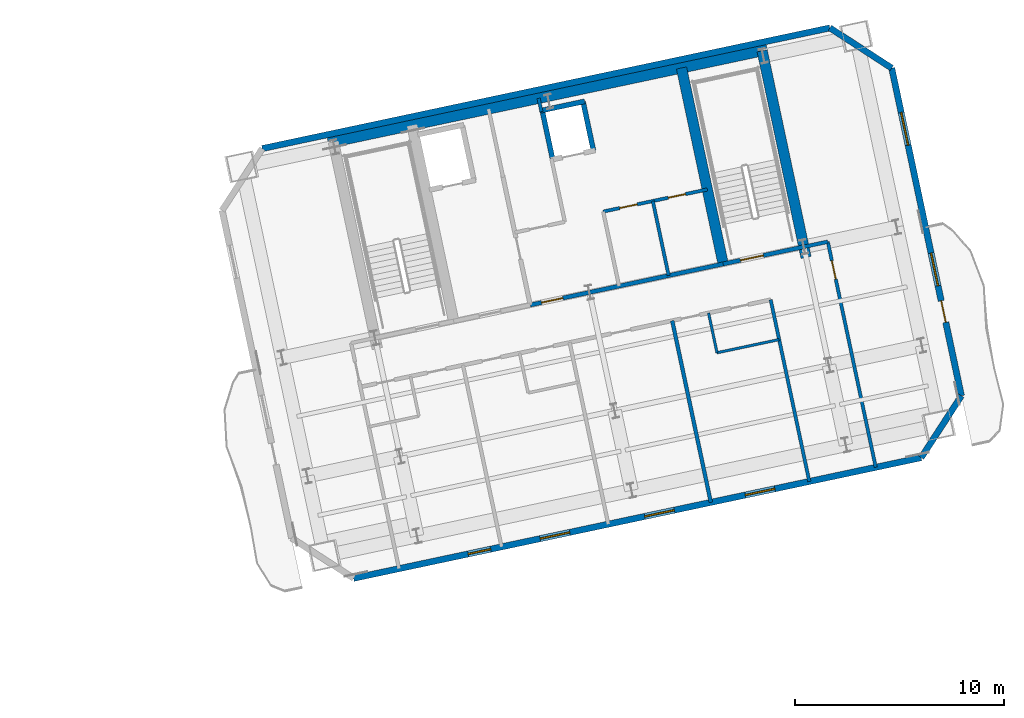
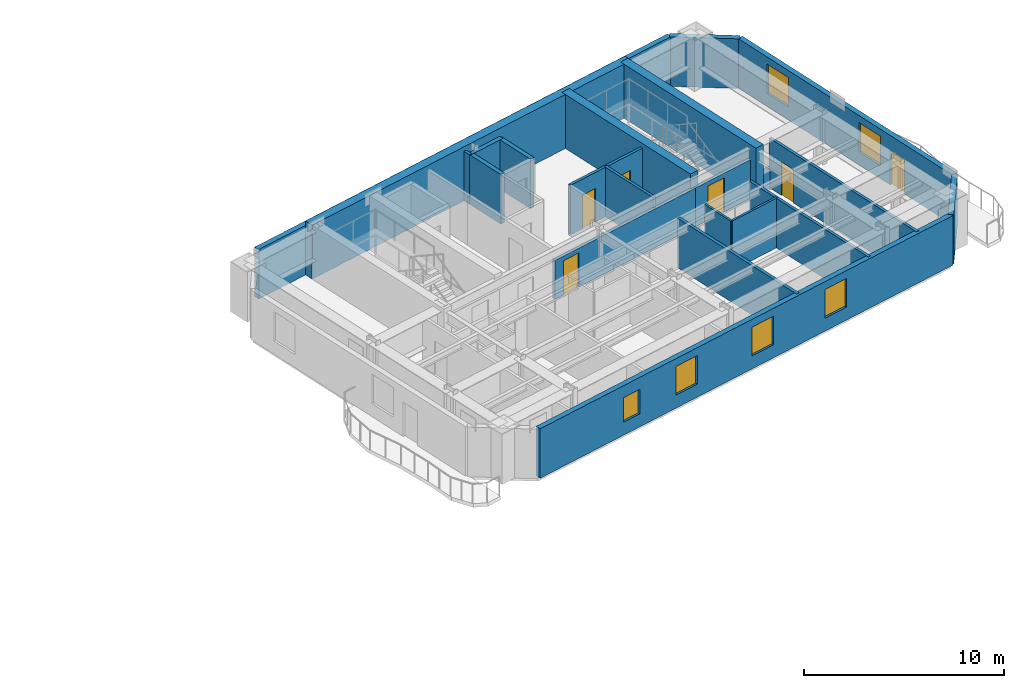
# One storey, part 10 of 15: 22 walls, 6 doors, 6 windows, 12 openings.
"""IFC4 building model written with IfcOpenShell, lengths in metres."""

from ifc_helpers import new_model, si_unit, direction, frame, frame_2d, origin, place, context, subcontext, project, spatial, rectangle, extrude, material, layer, layer_set, type_object, element, fill, save


model = new_model("IFC4")

# Units and contexts
model_context = context("Model", 3, precision=1e-05, world=origin(), true_north=direction((0.0, 1.0)))
body_context = subcontext(model_context, "Body", "Model", "MODEL_VIEW")
ifc_project = project(units=[si_unit("LENGTHUNIT", "METRE"), si_unit("AREAUNIT", "SQUARE_METRE"), si_unit("VOLUMEUNIT", "CUBIC_METRE"), si_unit("PLANEANGLEUNIT", "RADIAN"), si_unit("MASSUNIT", "GRAM", prefix="KILO")], contexts=[model_context])

# Site, building, storey
site_placement = place(None, origin())
site = spatial("IfcSite", under=ifc_project, at=site_placement, CompositionType="ELEMENT")
building_placement = place(site_placement, origin())
building = spatial("IfcBuilding", under=site, at=building_placement, Name="Haevon Station Towers", CompositionType="ELEMENT")
storey_placement = place(building_placement, frame((0.0, 0.0, 152.699951171875)))
storey = spatial("IfcBuildingStorey", under=building, at=storey_placement, Name="L41", CompositionType="ELEMENT", Elevation=152.699951171875)

# Walls
ifc_material_1 = material(Name="Gypsum board on steel stud", Category="steel")
ifc_layer_1 = layer(ifc_material_1, 0.179931640625)
ifc_layer_set_1 = layer_set([ifc_layer_1], Name="Gypsum board on steel stud")
wall_type_1 = type_object("IfcWallType", Name="WL-ACU180", PredefinedType="PARTITIONING", material=ifc_layer_set_1)
wall_1_placement = place(storey_placement, frame((119.29345703125, 41.80859375, 0.0), z_axis=(0.0, 0.0, 1.0), x_axis=(0.978177856367, 0.207769298294, 0.0)))
element("IfcWall", 1, at=wall_1_placement, inside=storey, type_object=wall_type_1, Name="WL-T2PT-L41-03", PredefinedType="PARTITIONING", context=body_context, shape_type="SweptSolid", body=[
    extrude(rectangle(XDim=1.175048828125, YDim=0.179931640625, at=frame_2d((0.58740234375, 0.0))), origin(), (0.0, 0.0, 1.0), 1.22998046875),
])
wall_2_placement = place(storey_placement, frame((114.8388671875, 29.56494140625, 0.0), z_axis=(0.0, 0.0, 1.0), x_axis=(-0.207908296654, 0.978148322179, 0.0)))
element("IfcWall", 2, at=wall_2_placement, inside=storey, type_object=wall_type_1, Name="WL-T2PT-L41-12", PredefinedType="PARTITIONING", context=body_context, shape_type="SweptSolid", body=[
    extrude(rectangle(XDim=8.89990234375, YDim=0.179931640625, at=frame_2d((4.449951171875, 0.0))), origin(), (0.0, 0.0, 1.0), 3.030029296875),
])

# Wall, opening, door
ifc_layer_2 = layer(ifc_material_1, 0.199951171875)
ifc_layer_set_2 = layer_set([ifc_layer_2], Name="Gypsum board on steel stud")
wall_type_2 = type_object("IfcWallType", Name="WL-COR200", PredefinedType="PARTITIONING", material=ifc_layer_set_2)
wall_3_placement = place(storey_placement, frame((115.4296875, 40.9873046875, 0.0), z_axis=(0.0, 0.0, 1.0), x_axis=(0.978146596989, 0.207916413008, 0.0)))
wall_3 = element("IfcWall", 3, at=wall_3_placement, inside=storey, type_object=wall_type_2, Name="WL-ST-ST4-L41", PredefinedType="PARTITIONING", context=body_context, shape_type="SweptSolid", body=[
    extrude(rectangle(XDim=3.9501953125, YDim=0.199951171875, at=frame_2d((1.97509765625, 0.0))), origin(), (0.0, 0.0, 1.0), 2.380126953125),
])
opening_1_placement = place(wall_3_placement, frame((0.85009765625, 0.0, 0.0)))
opening_1 = element("IfcOpeningElement", 4, at=opening_1_placement, cuts=wall_3, Name="Opening DR-ST-ST4-L41", PredefinedType="OPENING", context=body_context, shape_type="SweptSolid", body=[
    extrude(rectangle(XDim=1.1201171875, YDim=2.10009765625, at=frame_2d((0.56005859375, 1.050048828125))), frame((0.0, 0.10986328125, 0.0), z_axis=(0.0, -1.0, 0.0), x_axis=(1.0, 0.0, 0.0)), (0.0, 0.0, 1.0), 0.219970703125),
])
ifc_material_2 = material(Name="Engineered oak timber", Category="wood")
door_type_1 = type_object("IfcDoorType", Name="DR-ST-1120", OperationType="NOTDEFINED", PredefinedType="DOOR", material=ifc_material_2)
door_1_placement = place(opening_1_placement, origin())
door_1 = element("IfcDoor", 5, at=door_1_placement, inside=storey, type_object=door_type_1, Name="L41 Escape Stair ST4 Fire Door", OperationType="SINGLE_SWING_LEFT", OverallHeight=2.10009765625, OverallWidth=1.1201171875, PredefinedType="DOOR", context=body_context, shape_type="SweptSolid", body=[
    extrude(rectangle(XDim=1.1201171875, YDim=2.10009765625, at=frame_2d((0.56005859375, 1.050048828125))), frame((0.0, 0.02490234375, 0.0), z_axis=(0.0, -1.0, 0.0), x_axis=(1.0, 0.0, 0.0)), (0.0, 0.0, 1.0), 0.050048828125),
])
fill(opening_1, door_1)

wall_4_placement = place(storey_placement, frame((106.186279296875, 39.0224609375, 0.0), z_axis=(0.0, 0.0, 1.0), x_axis=(0.978145519981, 0.20792147975, 0.0)))
wall_4 = element("IfcWall", 6, at=wall_4_placement, inside=storey, type_object=wall_type_2, Name="WL-T2CLB-L41", PredefinedType="PARTITIONING", context=body_context, shape_type="SweptSolid", body=[
    extrude(rectangle(XDim=9.449951171875, YDim=0.199951171875, at=frame_2d((4.72509765625, 0.0))), origin(), (0.0, 0.0, 1.0), 2.380126953125),
])
opening_2_placement = place(wall_4_placement, frame((0.550048828125, 0.0, 0.0)))
opening_2 = element("IfcOpeningElement", 7, at=opening_2_placement, cuts=wall_4, Name="Opening DR-T2CLB-L41-1", PredefinedType="OPENING", context=body_context, shape_type="SweptSolid", body=[
    extrude(rectangle(XDim=1.050048828125, YDim=2.10009765625, at=frame_2d((0.52490234375, 1.050048828125))), frame((0.0, 0.10986328125, 0.0), z_axis=(0.0, -1.0, 0.0), x_axis=(1.0, 0.0, 0.0)), (0.0, 0.0, 1.0), 0.219970703125),
])
door_type_2 = type_object("IfcDoorType", Name="DR-FD60-1050", OperationType="NOTDEFINED", PredefinedType="DOOR", material=ifc_material_2)
door_2_placement = place(opening_2_placement, origin())
door_2 = element("IfcDoor", 8, at=door_2_placement, inside=storey, type_object=door_type_2, Name="L41 Tower 2 Core Lift Lobby Door 1", OperationType="SINGLE_SWING_RIGHT", OverallHeight=2.10009765625, OverallWidth=1.050048828125, PredefinedType="DOOR", context=body_context, shape_type="SweptSolid", body=[
    extrude(rectangle(XDim=1.050048828125, YDim=2.10009765625, at=frame_2d((0.52490234375, 1.050048828125))), frame((0.0, 0.02490234375, 0.0), z_axis=(0.0, -1.0, 0.0), x_axis=(1.0, 0.0, 0.0)), (0.0, 0.0, 1.0), 0.050048828125),
])
fill(opening_2, door_2)

# Walls
ifc_material_3 = material(Name="Concrete C60/75", Category="concrete")
ifc_layer_3 = layer(ifc_material_3, 0.5)
ifc_layer_set_3 = layer_set([ifc_layer_3], Name="Concrete C60/75")
wall_type_3 = type_object("IfcWallType", Name="WL-CR500", PredefinedType="SHEAR", material=ifc_layer_set_3)
wall_5_placement = place(storey_placement, frame((96.511962890625, 46.78076171875, 0.0), z_axis=(0.0, 0.0, 1.0), x_axis=(0.978148546782, 0.207907239961, 0.0)))
element("IfcWall", 9, at=wall_5_placement, inside=storey, type_object=wall_type_3, Name="WL-T2CR-L41-N", PredefinedType="SHEAR", context=body_context, shape_type="SweptSolid", body=[
    extrude(rectangle(XDim=21.499755859375, YDim=0.5, at=frame_2d((10.75, 0.0))), origin(), (0.0, 0.0, 1.0), 3.300048828125),
])
wall_6_placement = place(storey_placement, frame((119.401611328125, 41.2998046875, 0.0), z_axis=(0.0, 0.0, 1.0), x_axis=(-0.207904342798, 0.978149162575, 0.0)))
element("IfcWall", 10, at=wall_6_placement, inside=storey, type_object=wall_type_3, Name="WL-T2CR-L41-E", PredefinedType="SHEAR", context=body_context, shape_type="SweptSolid", body=[
    extrude(rectangle(XDim=10.1201171875, YDim=0.5, at=frame_2d((5.06005859375, 0.0))), origin(), (0.0, 0.0, 1.0), 3.300048828125),
])
wall_7_placement = place(storey_placement, frame((115.4296875, 40.9873046875, 0.0), z_axis=(0.0, 0.0, 1.0), x_axis=(-0.207903162969, 0.978149413345, 0.0)))
element("IfcWall", 11, at=wall_7_placement, inside=storey, type_object=wall_type_3, Name="WL-T2CR-L41-M2", PredefinedType="SHEAR", context=body_context, shape_type="SweptSolid", body=[
    extrude(rectangle(XDim=9.599853515625, YDim=0.5, at=frame_2d((4.7998046875, 0.0))), origin(), (0.0, 0.0, 1.0), 3.300048828125),
])

# Wall, openings, windows
ifc_material_4 = material(Name="Precast concrete C45/55", Category="concrete")
ifc_layer_4 = layer(ifc_material_4, 0.300048828125)
ifc_layer_set_4 = layer_set([ifc_layer_4], Name="Precast concrete C45/55")
wall_type_4 = type_object("IfcWallType", Name="WL-EXT-PIER300", PredefinedType="SOLIDWALL", material=ifc_layer_set_4)
wall_8_placement = place(storey_placement, frame((124.91650390625, 31.70703125, 0.0), z_axis=(0.0, 0.0, 1.0), x_axis=(-0.978146796741, -0.20791547327, 0.0)))
wall_8 = element("IfcWall", 12, at=wall_8_placement, inside=storey, type_object=wall_type_4, Name="WL-T2-L41-S", PredefinedType="SOLIDWALL", context=body_context, shape_type="SweptSolid", body=[
    extrude(rectangle(XDim=27.7998046875, YDim=0.300048828125, at=frame_2d((13.89990234375, 0.0))), origin(), (0.0, 0.0, 1.0), 3.030029296875),
])
opening_3_placement = place(wall_8_placement, frame((21.089599609375, 0.0, 0.800048828125)))
opening_3 = element("IfcOpeningElement", 13, at=opening_3_placement, cuts=wall_8, Name="Opening WN-COR110", PredefinedType="OPENING", context=body_context, shape_type="SweptSolid", body=[
    extrude(rectangle(XDim=1.10009765625, YDim=1.5, at=frame_2d((0.550048828125, 0.75))), frame((0.0, 0.159912109375, 0.0), z_axis=(0.0, -1.0, 0.0), x_axis=(1.0, 0.0, 0.0)), (0.0, 0.0, 1.0), 0.320068359375),
])
opening_4_placement = place(wall_8_placement, frame((17.2138671875, 0.0, 0.800048828125)))
opening_4 = element("IfcOpeningElement", 14, at=opening_4_placement, cuts=wall_8, Name="Opening WN-P145", PredefinedType="OPENING", context=body_context, shape_type="SweptSolid", body=[
    extrude(rectangle(XDim=1.449951171875, YDim=1.75, at=frame_2d((0.72509765625, 0.875))), frame((0.0, 0.159912109375, 0.0), z_axis=(0.0, -1.0, 0.0), x_axis=(1.0, 0.0, 0.0)), (0.0, 0.0, 1.0), 0.320068359375),
])
opening_5_placement = place(wall_8_placement, frame((12.089599609375, 0.0, 0.800048828125)))
opening_5 = element("IfcOpeningElement", 15, at=opening_5_placement, cuts=wall_8, Name="Opening WN-P145", PredefinedType="OPENING", context=body_context, shape_type="SweptSolid", body=[
    extrude(rectangle(XDim=1.449951171875, YDim=1.75, at=frame_2d((0.72509765625, 0.875))), frame((0.0, 0.159912109375, 0.0), z_axis=(0.0, -1.0, 0.0), x_axis=(1.0, 0.0, 0.0)), (0.0, 0.0, 1.0), 0.320068359375),
])
opening_6_placement = place(wall_8_placement, frame((7.16650390625, 0.0, 0.800048828125)))
opening_6 = element("IfcOpeningElement", 16, at=opening_6_placement, cuts=wall_8, Name="Opening WN-P145", PredefinedType="OPENING", context=body_context, shape_type="SweptSolid", body=[
    extrude(rectangle(XDim=1.449951171875, YDim=1.75, at=frame_2d((0.72509765625, 0.875))), frame((0.0, 0.159912109375, 0.0), z_axis=(0.0, -1.0, 0.0), x_axis=(1.0, 0.0, 0.0)), (0.0, 0.0, 1.0), 0.320068359375),
])
ifc_material_5 = material(Name="Low-E triple glazing in thermally broken aluminium", Category="aluminium")
window_type_1 = type_object("IfcWindowType", Name="WN-COR110", PartitioningType="SINGLE_PANEL", PredefinedType="WINDOW", material=ifc_material_5)
window_1_placement = place(opening_3_placement, origin())
window_1 = element("IfcWindow", 17, at=window_1_placement, inside=storey, type_object=window_type_1, Name="WN-T2-L41-S01", OverallHeight=1.5, OverallWidth=1.10009765625, PartitioningType="SINGLE_PANEL", PredefinedType="WINDOW", context=body_context, shape_type="SweptSolid", body=[
    extrude(rectangle(XDim=1.10009765625, YDim=1.5, at=frame_2d((0.550048828125, 0.75))), frame((0.0, 0.030029296875, 0.0), z_axis=(0.0, -1.0, 0.0), x_axis=(1.0, 0.0, 0.0)), (0.0, 0.0, 1.0), 0.06005859375),
])
fill(opening_3, window_1)
window_type_2 = type_object("IfcWindowType", Name="WN-P145", PartitioningType="SINGLE_PANEL", PredefinedType="WINDOW", material=ifc_material_5)
window_2_placement = place(opening_4_placement, origin())
window_2 = element("IfcWindow", 18, at=window_2_placement, inside=storey, type_object=window_type_2, Name="WN-T2-L41-S02", OverallHeight=1.75, OverallWidth=1.449951171875, PartitioningType="SINGLE_PANEL", PredefinedType="WINDOW", context=body_context, shape_type="SweptSolid", body=[
    extrude(rectangle(XDim=1.449951171875, YDim=1.75, at=frame_2d((0.72509765625, 0.875))), frame((0.0, 0.030029296875, 0.0), z_axis=(0.0, -1.0, 0.0), x_axis=(1.0, 0.0, 0.0)), (0.0, 0.0, 1.0), 0.06005859375),
])
fill(opening_4, window_2)
window_3_placement = place(opening_5_placement, origin())
window_3 = element("IfcWindow", 19, at=window_3_placement, inside=storey, type_object=window_type_2, Name="WN-T2-L41-S03", OverallHeight=1.75, OverallWidth=1.449951171875, PartitioningType="SINGLE_PANEL", PredefinedType="WINDOW", context=body_context, shape_type="SweptSolid", body=[
    extrude(rectangle(XDim=1.449951171875, YDim=1.75, at=frame_2d((0.72509765625, 0.875))), frame((0.0, 0.030029296875, 0.0), z_axis=(0.0, -1.0, 0.0), x_axis=(1.0, 0.0, 0.0)), (0.0, 0.0, 1.0), 0.06005859375),
])
fill(opening_5, window_3)
window_4_placement = place(opening_6_placement, origin())
window_4 = element("IfcWindow", 20, at=window_4_placement, inside=storey, type_object=window_type_2, Name="WN-T2-L41-S04", OverallHeight=1.75, OverallWidth=1.449951171875, PartitioningType="SINGLE_PANEL", PredefinedType="WINDOW", context=body_context, shape_type="SweptSolid", body=[
    extrude(rectangle(XDim=1.449951171875, YDim=1.75, at=frame_2d((0.72509765625, 0.875))), frame((0.0, 0.030029296875, 0.0), z_axis=(0.0, -1.0, 0.0), x_axis=(1.0, 0.0, 0.0)), (0.0, 0.0, 1.0), 0.06005859375),
])
fill(opening_6, window_4)

# Walls
wall_9_placement = place(storey_placement, frame((93.347412109375, 46.51708984375, 0.0), z_axis=(0.0, 0.0, 1.0), x_axis=(0.978148962338, 0.207905284872, 0.0)))
element("IfcWall", 21, at=wall_9_placement, inside=storey, type_object=wall_type_4, Name="WL-T2-L41-N", PredefinedType="SOLIDWALL", context=body_context, shape_type="SweptSolid", body=[
    extrude(rectangle(XDim=27.800048828125, YDim=0.300048828125, at=frame_2d((13.89990234375, 0.0))), origin(), (0.0, 0.0, 1.0), 3.030029296875),
])
wall_10_placement = place(storey_placement, frame((120.5400390625, 52.296875, 0.0), z_axis=(0.0, 0.0, 1.0), x_axis=(0.838672309694, -0.544636352948, 0.0)))
element("IfcWall", 22, at=wall_10_placement, inside=storey, type_object=wall_type_4, Name="WL-T2-L41-NEC", PredefinedType="SOLIDWALL", context=body_context, shape_type="SweptSolid", body=[
    extrude(rectangle(XDim=3.535400390625, YDim=0.300048828125, at=frame_2d((1.767578125, 0.0))), origin(), (0.0, 0.0, 1.0), 3.030029296875),
])

# Wall, openings, door, windows
wall_11_placement = place(storey_placement, frame((123.505126953125, 50.371337890625, 0.0), z_axis=(0.0, 0.0, 1.0), x_axis=(0.207922793235, -0.978145240776, 0.0)))
wall_11 = element("IfcWall", 23, at=wall_11_placement, inside=storey, type_object=wall_type_4, Name="WL-T2-L41-E", PredefinedType="SOLIDWALL", context=body_context, shape_type="SweptSolid", body=[
    extrude(rectangle(XDim=16.050048828125, YDim=0.300048828125, at=frame_2d((8.02490234375, 0.0))), origin(), (0.0, 0.0, 1.0), 3.030029296875),
])
opening_7_placement = place(wall_11_placement, frame((11.39990234375, 0.0, 0.0)))
opening_7 = element("IfcOpeningElement", 24, at=opening_7_placement, cuts=wall_11, Name="Opening DR-T2-SCAL-L41-E", PredefinedType="OPENING", context=body_context, shape_type="SweptSolid", body=[
    extrude(rectangle(XDim=1.050048828125, YDim=2.10009765625, at=frame_2d((0.52490234375, 1.050048828125))), frame((0.0, 0.159912109375, 0.0), z_axis=(0.0, -1.0, 0.0), x_axis=(1.0, 0.0, 0.0)), (0.0, 0.0, 1.0), 0.320068359375),
])
opening_8_placement = place(wall_11_placement, frame((2.1767578125, 0.0, 0.800048828125)))
opening_8 = element("IfcOpeningElement", 25, at=opening_8_placement, cuts=wall_11, Name="Opening WN-END160", PredefinedType="OPENING", context=body_context, shape_type="SweptSolid", body=[
    extrude(rectangle(XDim=1.60009765625, YDim=1.800048828125, at=frame_2d((0.800048828125, 0.89990234375))), frame((0.0, 0.159912109375, 0.0), z_axis=(0.0, -1.0, 0.0), x_axis=(1.0, 0.0, 0.0)), (0.0, 0.0, 1.0), 0.320068359375),
])
opening_9_placement = place(wall_11_placement, frame((9.060791015625, 0.0, 0.800048828125)))
opening_9 = element("IfcOpeningElement", 26, at=opening_9_placement, cuts=wall_11, Name="Opening WN-END160", PredefinedType="OPENING", context=body_context, shape_type="SweptSolid", body=[
    extrude(rectangle(XDim=1.60009765625, YDim=1.800048828125, at=frame_2d((0.800048828125, 0.89990234375))), frame((0.0, 0.159912109375, 0.0), z_axis=(0.0, -1.0, 0.0), x_axis=(1.0, 0.0, 0.0)), (0.0, 0.0, 1.0), 0.320068359375),
])
ifc_material_6 = material(Name="Thermally broken anodised aluminium and laminated safety glass", Category="aluminium")
door_type_3 = type_object("IfcDoorType", Name="DR-BALC-1050", OperationType="NOTDEFINED", PredefinedType="DOOR", material=ifc_material_6)
door_3_placement = place(opening_7_placement, origin())
door_3 = element("IfcDoor", 27, at=door_3_placement, inside=storey, type_object=door_type_3, Name="Tower 2 L41 East Scalloped Balcony Door", OperationType="SINGLE_SWING_RIGHT", OverallHeight=2.10009765625, OverallWidth=1.050048828125, PredefinedType="DOOR", context=body_context, shape_type="SweptSolid", body=[
    extrude(rectangle(XDim=1.050048828125, YDim=2.10009765625, at=frame_2d((0.52490234375, 1.050048828125))), frame((0.0, 0.02490234375, 0.0), z_axis=(0.0, -1.0, 0.0), x_axis=(1.0, 0.0, 0.0)), (0.0, 0.0, 1.0), 0.050048828125),
])
fill(opening_7, door_3)
window_type_3 = type_object("IfcWindowType", Name="WN-END160", PartitioningType="SINGLE_PANEL", PredefinedType="WINDOW", material=ifc_material_5)
window_5_placement = place(opening_8_placement, origin())
window_5 = element("IfcWindow", 28, at=window_5_placement, inside=storey, type_object=window_type_3, Name="WN-T2-L41-E01", OverallHeight=1.800048828125, OverallWidth=1.60009765625, PartitioningType="SINGLE_PANEL", PredefinedType="WINDOW", context=body_context, shape_type="SweptSolid", body=[
    extrude(rectangle(XDim=1.60009765625, YDim=1.800048828125, at=frame_2d((0.800048828125, 0.89990234375))), frame((0.0, 0.030029296875, 0.0), z_axis=(0.0, -1.0, 0.0), x_axis=(1.0, 0.0, 0.0)), (0.0, 0.0, 1.0), 0.06005859375),
])
fill(opening_8, window_5)
window_6_placement = place(opening_9_placement, origin())
window_6 = element("IfcWindow", 29, at=window_6_placement, inside=storey, type_object=window_type_3, Name="WN-T2-L41-E02", OverallHeight=1.800048828125, OverallWidth=1.60009765625, PartitioningType="SINGLE_PANEL", PredefinedType="WINDOW", context=body_context, shape_type="SweptSolid", body=[
    extrude(rectangle(XDim=1.60009765625, YDim=1.800048828125, at=frame_2d((0.800048828125, 0.89990234375))), frame((0.0, 0.030029296875, 0.0), z_axis=(0.0, -1.0, 0.0), x_axis=(1.0, 0.0, 0.0)), (0.0, 0.0, 1.0), 0.06005859375),
])
fill(opening_9, window_6)

# Walls
wall_12_placement = place(storey_placement, frame((126.84228515625, 34.672119140625, 0.0), z_axis=(0.0, 0.0, 1.0), x_axis=(-0.544684921471, -0.838640767148, 0.0)))
element("IfcWall", 30, at=wall_12_placement, inside=storey, type_object=wall_type_4, Name="WL-T2-L41-SEC", PredefinedType="SOLIDWALL", context=body_context, shape_type="SweptSolid", body=[
    extrude(rectangle(XDim=3.53564453125, YDim=0.300048828125, at=frame_2d((1.767822265625, 0.0))), origin(), (0.0, 0.0, 1.0), 3.030029296875),
])
ifc_layer_5 = layer(ifc_material_1, 0.125)
ifc_layer_set_5 = layer_set([ifc_layer_5], Name="Gypsum board on steel stud")
wall_type_5 = type_object("IfcWallType", Name="WL-PRT125", PredefinedType="PARTITIONING", material=ifc_layer_set_5)
wall_13_placement = place(storey_placement, frame((115.135009765625, 36.733154296875, 0.0), z_axis=(0.0, 0.0, 1.0), x_axis=(0.978152121123, 0.207890422921, 0.0)))
element("IfcWall", 31, at=wall_13_placement, inside=storey, type_object=wall_type_5, Name="WL-T2PT-L41-13", PredefinedType="PARTITIONING", context=body_context, shape_type="SweptSolid", body=[
    extrude(rectangle(XDim=3.042724609375, YDim=0.125, at=frame_2d((1.521484375, 0.0))), origin(), (0.0, 0.0, 1.0), 3.030029296875),
])
wall_14_placement = place(storey_placement, frame((115.135009765625, 36.733154296875, 0.0), z_axis=(0.0, 0.0, 1.0), x_axis=(-0.207972563987, 0.978134659763, 0.0)))
element("IfcWall", 32, at=wall_14_placement, inside=storey, type_object=wall_type_5, Name="WL-T2PT-L41-14", PredefinedType="PARTITIONING", context=body_context, shape_type="SweptSolid", body=[
    extrude(rectangle(XDim=1.949951171875, YDim=0.125, at=frame_2d((0.97509765625, 0.0))), origin(), (0.0, 0.0, 1.0), 3.030029296875),
])
ifc_layer_6 = layer(ifc_material_1, 0.159912109375)
ifc_layer_set_6 = layer_set([ifc_layer_6], Name="Gypsum board on steel stud")
wall_type_6 = type_object("IfcWallType", Name="WL-PRT160", PredefinedType="PARTITIONING", material=ifc_layer_set_6)
wall_15_placement = place(storey_placement, frame((106.721923828125, 48.286376953125, 0.0), z_axis=(0.0, 0.0, 1.0), x_axis=(-0.208092352933, 0.978109182377, 0.0)))
element("IfcWall", 33, at=wall_15_placement, inside=storey, type_object=wall_type_6, Name="WL-T2CW-L41-04", PredefinedType="PARTITIONING", context=body_context, shape_type="SweptSolid", body=[
    extrude(rectangle(XDim=0.64990234375, YDim=0.159912109375, at=frame_2d((0.324951171875, 0.0))), origin(), (0.0, 0.0, 1.0), 3.030029296875),
])
wall_16_placement = place(storey_placement, frame((112.818115234375, 40.43212890625, 0.0), z_axis=(0.0, 0.0, 1.0), x_axis=(-0.207884354546, 0.978153410838, 0.0)))
element("IfcWall", 34, at=wall_16_placement, inside=storey, type_object=wall_type_6, Name="WL-T2CW-L41-06", PredefinedType="PARTITIONING", context=body_context, shape_type="SweptSolid", body=[
    extrude(rectangle(XDim=3.650146484375, YDim=0.159912109375, at=frame_2d((1.8251953125, 0.0))), origin(), (0.0, 0.0, 1.0), 3.030029296875),
])

# Wall, openings, doors
wall_17_placement = place(storey_placement, frame((109.682373046875, 43.497314453125, 0.0), z_axis=(0.0, 0.0, 1.0), x_axis=(0.978149238447, 0.207903985835, 0.0)))
wall_17 = element("IfcWall", 35, at=wall_17_placement, inside=storey, type_object=wall_type_6, Name="WL-T2CW-L41-07", PredefinedType="PARTITIONING", context=body_context, shape_type="SweptSolid", body=[
    extrude(rectangle(XDim=5.099853515625, YDim=0.159912109375, at=frame_2d((2.5498046875, 0.0))), origin(), (0.0, 0.0, 1.0), 3.030029296875),
])
opening_10_placement = place(wall_17_placement, frame((0.81005859375, 0.0, 0.0)))
opening_10 = element("IfcOpeningElement", 36, at=opening_10_placement, cuts=wall_17, Name="Opening DR-WL-T2CW-L41-07-1", PredefinedType="OPENING", context=body_context, shape_type="SweptSolid", body=[
    extrude(rectangle(XDim=0.85009765625, YDim=2.050048828125, at=frame_2d((0.425048828125, 1.02490234375))), frame((0.0, 0.08984375, 0.0), z_axis=(0.0, -1.0, 0.0), x_axis=(1.0, 0.0, 0.0)), (0.0, 0.0, 1.0), 0.179931640625),
])
opening_11_placement = place(wall_17_placement, frame((3.179931640625, 0.0, 0.0)))
opening_11 = element("IfcOpeningElement", 37, at=opening_11_placement, cuts=wall_17, Name="Opening DR-WL-T2CW-L41-07-2", PredefinedType="OPENING", context=body_context, shape_type="SweptSolid", body=[
    extrude(rectangle(XDim=0.85009765625, YDim=2.050048828125, at=frame_2d((0.425048828125, 1.02490234375))), frame((0.0, 0.08984375, 0.0), z_axis=(0.0, -1.0, 0.0), x_axis=(1.0, 0.0, 0.0)), (0.0, 0.0, 1.0), 0.179931640625),
])
door_type_4 = type_object("IfcDoorType", Name="DR-FD30-850", OperationType="NOTDEFINED", PredefinedType="DOOR", material=ifc_material_2)
door_4_placement = place(opening_10_placement, origin())
door_4 = element("IfcDoor", 38, at=door_4_placement, inside=storey, type_object=door_type_4, Name="L41 Tower 2 Core Room Door 7-1", OperationType="SINGLE_SWING_RIGHT", OverallHeight=2.050048828125, OverallWidth=0.85009765625, PredefinedType="DOOR", context=body_context, shape_type="SweptSolid", body=[
    extrude(rectangle(XDim=0.85009765625, YDim=2.050048828125, at=frame_2d((0.425048828125, 1.02490234375))), frame((0.0, 0.02490234375, 0.0), z_axis=(0.0, -1.0, 0.0), x_axis=(1.0, 0.0, 0.0)), (0.0, 0.0, 1.0), 0.050048828125),
])
fill(opening_10, door_4)
door_5_placement = place(opening_11_placement, origin())
door_5 = element("IfcDoor", 39, at=door_5_placement, inside=storey, type_object=door_type_4, Name="L41 Tower 2 Core Room Door 7-2", OperationType="SINGLE_SWING_LEFT", OverallHeight=2.050048828125, OverallWidth=0.85009765625, PredefinedType="DOOR", context=body_context, shape_type="SweptSolid", body=[
    extrude(rectangle(XDim=0.85009765625, YDim=2.050048828125, at=frame_2d((0.425048828125, 1.02490234375))), frame((0.0, 0.02490234375, 0.0), z_axis=(0.0, -1.0, 0.0), x_axis=(1.0, 0.0, 0.0)), (0.0, 0.0, 1.0), 0.050048828125),
])
fill(opening_11, door_5)

# Wall
wall_18_placement = place(storey_placement, frame((119.556396484375, 30.567626953125, 0.0), z_axis=(0.0, 0.0, 1.0), x_axis=(-0.207928963567, 0.978143929138, 0.0)))
element("IfcWall", 40, at=wall_18_placement, inside=storey, type_object=wall_type_6, Name="WL-T2PT-L41-01", PredefinedType="PARTITIONING", context=body_context, shape_type="SweptSolid", body=[
    extrude(rectangle(XDim=8.900146484375, YDim=0.159912109375, at=frame_2d((4.4501953125, 0.0))), origin(), (0.0, 0.0, 1.0), 3.030029296875),
])

# Wall, opening, door
wall_19_placement = place(storey_placement, frame((122.740234375, 31.244384765625, 0.0), z_axis=(0.0, 0.0, 1.0), x_axis=(-0.207909755675, 0.978148012059, 0.0)))
wall_19 = element("IfcWall", 41, at=wall_19_placement, inside=storey, type_object=wall_type_6, Name="WL-T2PT-L41-05", PredefinedType="PARTITIONING", context=body_context, shape_type="SweptSolid", body=[
    extrude(rectangle(XDim=11.0498046875, YDim=0.159912109375, at=frame_2d((5.52490234375, 0.0))), origin(), (0.0, 0.0, 1.0), 3.030029296875),
])
opening_12_placement = place(wall_19_placement, frame((9.219970703125, 0.0, 0.0)))
opening_12 = element("IfcOpeningElement", 42, at=opening_12_placement, cuts=wall_19, Name="Opening DR-WL-T2PT-L41-05-01", PredefinedType="OPENING", context=body_context, shape_type="SweptSolid", body=[
    extrude(rectangle(XDim=0.89990234375, YDim=2.050048828125, at=frame_2d((0.449951171875, 1.02490234375))), frame((0.0, 0.08984375, 0.0), z_axis=(0.0, -1.0, 0.0), x_axis=(1.0, 0.0, 0.0)), (0.0, 0.0, 1.0), 0.179931640625),
])
door_type_5 = type_object("IfcDoorType", Name="DR-INT-900", OperationType="NOTDEFINED", PredefinedType="DOOR", material=ifc_material_2)
door_6_placement = place(opening_12_placement, origin())
door_6 = element("IfcDoor", 43, at=door_6_placement, inside=storey, type_object=door_type_5, Name="L41 Tower 2 Room Door 5-1", OperationType="SINGLE_SWING_LEFT", OverallHeight=2.050048828125, OverallWidth=0.89990234375, PredefinedType="DOOR", context=body_context, shape_type="SweptSolid", body=[
    extrude(rectangle(XDim=0.89990234375, YDim=2.050048828125, at=frame_2d((0.449951171875, 1.02490234375))), frame((0.0, 0.02490234375, 0.0), z_axis=(0.0, -1.0, 0.0), x_axis=(1.0, 0.0, 0.0)), (0.0, 0.0, 1.0), 0.050048828125),
])
fill(opening_12, door_6)

# Walls
ifc_material_7 = material(Name="Concrete C40/50", Category="concrete")
ifc_layer_7 = layer(ifc_material_7, 0.239990234375)
ifc_layer_set_7 = layer_set([ifc_layer_7], Name="Concrete C40/50")
wall_type_7 = type_object("IfcWallType", Name="WL-SHF240", PredefinedType="PARTITIONING", material=ifc_layer_set_7)
wall_20_placement = place(storey_placement, frame((106.68212890625, 48.3291015625, 0.0), z_axis=(0.0, 0.0, 1.0), x_axis=(0.978158276388, 0.207861459473, 0.0)))
element("IfcWall", 44, at=wall_20_placement, inside=storey, type_object=wall_type_7, Name="WL-SHF-PL8-L41-N", PredefinedType="PARTITIONING", context=body_context, shape_type="SweptSolid", body=[
    extrude(rectangle(XDim=2.159912109375, YDim=0.239990234375, at=frame_2d((1.080078125, 0.0))), origin(), (0.0, 0.0, 1.0), 3.030029296875),
])
for number, where, z_axis, x_axis, name in (
    (45, (107.259521484375, 45.998046875, 0.0), (0.0, 0.0, 1.0), (-0.207917150959, 0.978146440129, 0.0), "WL-SHF-PL8-L41-W"),
    (46, (109.2158203125, 46.413818359375, 0.0), (0.0, 0.0, 1.0), (-0.207917150959, 0.978146440129, 0.0), "WL-SHF-PL8-L41-E"),
):
    element("IfcWall", number, at=place(storey_placement, frame(where, z_axis=z_axis, x_axis=x_axis)), inside=storey, type_object=wall_type_7, Name=name, PredefinedType="PARTITIONING", context=body_context, shape_type="SweptSolid", body=[
        extrude(rectangle(XDim=2.400146484375, YDim=0.239990234375, at=frame_2d((1.2001953125, 0.0))), origin(), (0.0, 0.0, 1.0), 3.030029296875),
    ])

save(model, "model.ifc")
